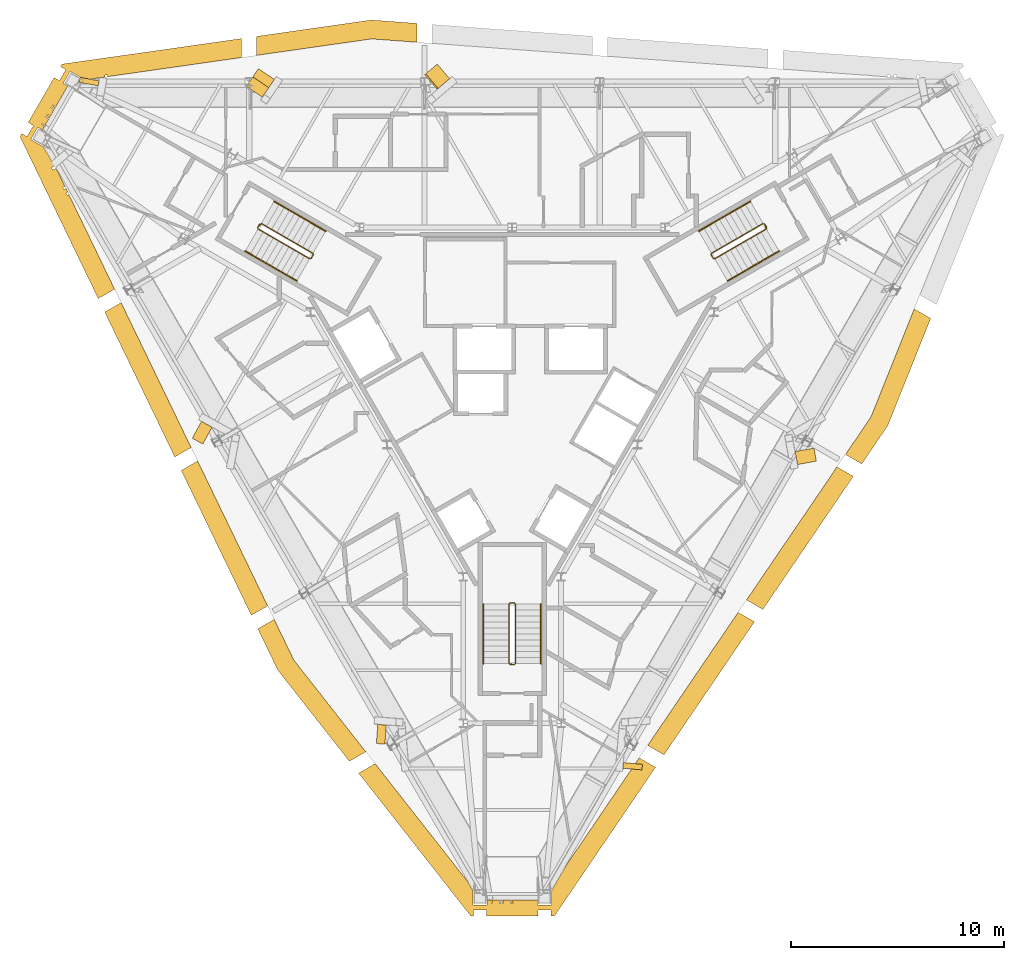
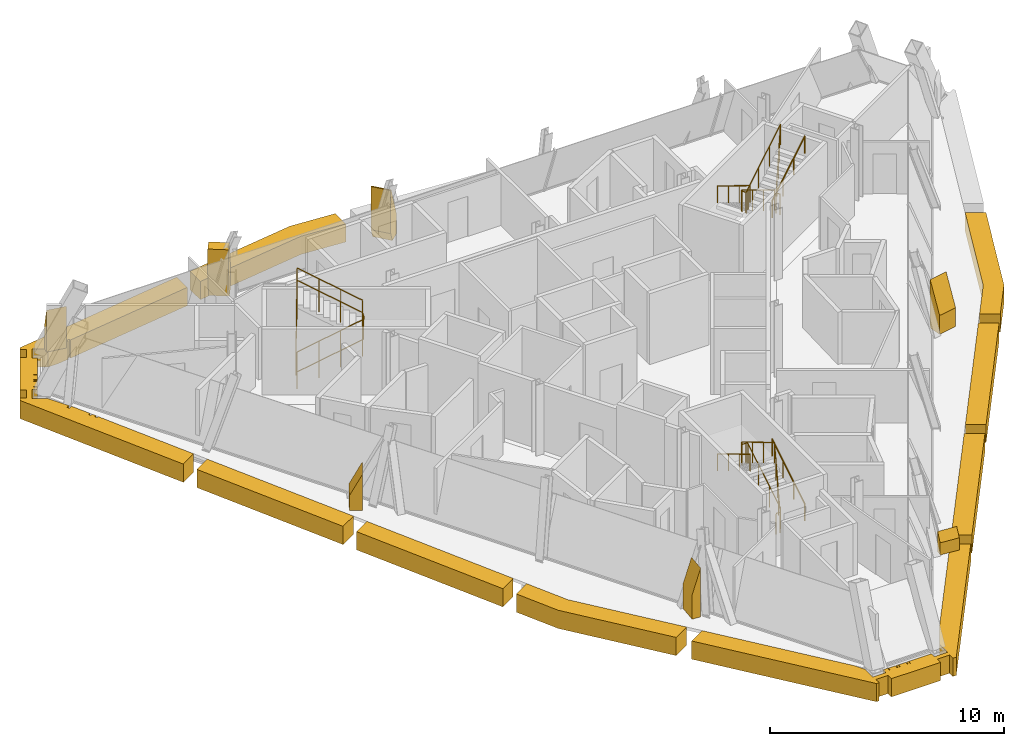
# One storey, part 12 of 13: 16 coverings, 9 railings.
"""IFC4 building model written with IfcOpenShell, lengths in metres."""

from ifc_helpers import new_model, si_unit, direction, frame, origin, origin_2d, place, context, subcontext, project, spatial, polyline, circle, outline, extrude, material, layer, layer_set, type_object, element, save


model = new_model("IFC4")

# Units and contexts
model_context = context("Model", 3, precision=1e-05, world=origin(), true_north=direction((0.0, 1.0)))
body_context = subcontext(model_context, "Body", "Model", "MODEL_VIEW")
ifc_project = project(units=[si_unit("LENGTHUNIT", "METRE"), si_unit("AREAUNIT", "SQUARE_METRE"), si_unit("VOLUMEUNIT", "CUBIC_METRE"), si_unit("PLANEANGLEUNIT", "RADIAN"), si_unit("MASSUNIT", "GRAM", prefix="KILO")], contexts=[model_context])

# Site, building, storey
site_placement = place(None, origin())
site = spatial("IfcSite", under=ifc_project, at=site_placement, CompositionType="ELEMENT")
building_placement = place(site_placement, origin())
building = spatial("IfcBuilding", under=site, at=building_placement, Name="Verrane Prism Tower", CompositionType="ELEMENT")
storey_placement = place(building_placement, frame((0.0, 0.0, 304.699951171875)))
storey = spatial("IfcBuildingStorey", under=building, at=storey_placement, Name="L77", CompositionType="ELEMENT", Elevation=304.699951171875)

# Railings
ifc_material_1 = material(Name="Steel A36 rail and posts, no infill", Category="steel")
railing_type_1 = type_object("IfcRailingType", Name="Stair guard 1100 steel rail and posts", PredefinedType="GUARDRAIL", material=ifc_material_1)
railing_1_placement = place(storey_placement, frame((11.78955078125, 6.97998046875, 0.168212890625)))
element("IfcRailing", 1, at=railing_1_placement, inside=storey, type_object=railing_type_1, Name="Stair 1 guard", PredefinedType="GUARDRAIL", context=body_context, shape_type="SweptSolid", body=[
    extrude(circle(Radius=0.02392578125, at=origin_2d()), frame((0.0, 0.0, 1.076171875), z_axis=(-0.742366697286, -0.42866220388, 0.514917859203), x_axis=(0.500049511043, -0.865996816683, 0.0)), (0.0, 0.0, 1.0), 3.266357421875),
    extrude(circle(Radius=0.02392578125, at=origin_2d()), frame((-2.4248046875, -1.400146484375, 2.7578125), z_axis=(-0.259601060869, -0.965715946433, 0.0), x_axis=(0.965715946433, -0.259601060869, 0.0)), (0.0, 0.0, 1.0), 0.070556640625),
    extrude(circle(Radius=0.02392578125, at=origin_2d()), frame((-2.443115234375, -1.46826171875, 2.7578125), z_axis=(0.499158860599, -0.866510491504, 0.0), x_axis=(0.866510491504, 0.499158860599, 0.0)), (0.0, 0.0, 1.0), 0.199951171875),
    extrude(circle(Radius=0.02392578125, at=origin_2d()), frame((-2.34326171875, -1.6416015625, 2.7578125), z_axis=(0.374585375571, -0.100335368456, 0.921747584887), x_axis=(0.258736085224, 0.965948051503, 0.0)), (0.0, 0.0, 1.0), 0.182373046875),
    extrude(circle(Radius=0.02392578125, at=origin_2d()), frame((-2.27490234375, -1.659912109375, 2.92626953125), z_axis=(0.742395268701, 0.428678701772, 0.514862928999), x_axis=(-0.500049511043, 0.865996816683, 0.0)), (0.0, 0.0, 1.0), 3.26611328125),
    extrude(circle(Radius=0.02392578125, at=origin_2d()), frame((0.14990234375, -0.259765625, 4.60791015625), z_axis=(-0.021986835041, 0.065104730107, -0.997636182785), x_axis=(-0.947430582667, -0.3199613899, 0.0)), (0.0, 0.0, 1.0), 3.708740234375),
    extrude(circle(Radius=0.02392578125, at=origin_2d()), frame((0.068359375, -0.018310546875, 0.90771484375), z_axis=(0.499158860599, -0.866510491504, 0.0), x_axis=(0.866510491504, 0.499158860599, 0.0)), (0.0, 0.0, 1.0), 0.199951171875),
    extrude(circle(Radius=0.02099609375, at=origin_2d()), origin(), (0.0, 0.0, 1.0), 1.052001953125),
    extrude(circle(Radius=0.02099609375, at=origin_2d()), frame((-0.808349609375, -0.466796875, 0.560546875)), (0.0, 0.0, 1.0), 1.052001953125),
    extrude(circle(Radius=0.02099609375, at=origin_2d()), frame((-1.616455078125, -0.933349609375, 1.121337890625)), (0.0, 0.0, 1.0), 1.052001953125),
    extrude(circle(Radius=0.02099609375, at=origin_2d()), frame((-2.4248046875, -1.400146484375, 1.681884765625)), (0.0, 0.0, 1.0), 1.052001953125),
    extrude(circle(Radius=0.02099609375, at=origin_2d()), frame((-2.443115234375, -1.46826171875, 1.681884765625)), (0.0, 0.0, 1.0), 1.052001953125),
    extrude(circle(Radius=0.02099609375, at=origin_2d()), frame((-2.34326171875, -1.6416015625, 1.681884765625)), (0.0, 0.0, 1.0), 1.052001953125),
    extrude(circle(Radius=0.02099609375, at=origin_2d()), frame((-2.27490234375, -1.659912109375, 1.85009765625)), (0.0, 0.0, 1.0), 1.052001953125),
    extrude(circle(Radius=0.02099609375, at=origin_2d()), frame((-1.466552734375, -1.193115234375, 2.41064453125)), (0.0, 0.0, 1.0), 1.052001953125),
    extrude(circle(Radius=0.02099609375, at=origin_2d()), frame((-0.658447265625, -0.7265625, 2.97119140625)), (0.0, 0.0, 1.0), 1.052001953125),
    extrude(circle(Radius=0.02099609375, at=origin_2d()), frame((0.14990234375, -0.259765625, 3.53173828125)), (0.0, 0.0, 1.0), 1.052001953125),
    extrude(circle(Radius=0.02099609375, at=origin_2d()), frame((0.12939453125, -0.199462890625, 2.606689453125)), (0.0, 0.0, 1.0), 1.052001953125),
    extrude(circle(Radius=0.02099609375, at=origin_2d()), frame((0.109130859375, -0.13916015625, 1.681640625)), (0.0, 0.0, 1.0), 1.052001953125),
    extrude(circle(Radius=0.02099609375, at=origin_2d()), frame((0.0888671875, -0.07861328125, 0.7568359375)), (0.0, 0.0, 1.0), 1.052001953125),
    extrude(circle(Radius=0.02099609375, at=origin_2d()), frame((0.068359375, -0.018310546875, -0.168212890625)), (0.0, 0.0, 1.0), 1.052001953125),
    extrude(circle(Radius=0.02099609375, at=origin_2d()), frame((0.168212890625, -0.191650390625, -0.168212890625)), (0.0, 0.0, 1.0), 1.052001953125),
])
railing_2_placement = place(storey_placement, frame((-11.939453125, 6.72021484375, 0.168212890625)))
element("IfcRailing", 2, at=railing_2_placement, inside=storey, type_object=railing_type_1, Name="Stair 2 guard", PredefinedType="GUARDRAIL", context=body_context, shape_type="SweptSolid", body=[
    extrude(circle(Radius=0.02392578125, at=origin_2d()), frame((0.0, 0.0, 1.076171875), z_axis=(0.742366697286, -0.42866220388, 0.514917859203), x_axis=(0.500049511043, 0.865996816683, 0.0)), (0.0, 0.0, 1.0), 3.266357421875),
    extrude(circle(Radius=0.02392578125, at=origin_2d()), frame((2.4248046875, -1.400146484375, 2.7578125), z_axis=(0.965948051503, 0.258736085224, 0.0), x_axis=(-0.258736085224, 0.965948051503, 0.0)), (0.0, 0.0, 1.0), 0.07080078125),
    extrude(circle(Radius=0.02392578125, at=origin_2d()), frame((2.4931640625, -1.3818359375, 2.7578125), z_axis=(0.499158860599, 0.866510491504, 0.0), x_axis=(-0.866510491504, 0.499158860599, 0.0)), (0.0, 0.0, 1.0), 0.199951171875),
    extrude(circle(Radius=0.02392578125, at=origin_2d()), frame((2.593017578125, -1.20849609375, 2.7578125), z_axis=(-0.100385596638, 0.373434419493, 0.922209014446), x_axis=(-0.965715946433, -0.259601060869, 0.0)), (0.0, 0.0, 1.0), 0.182373046875),
    extrude(circle(Radius=0.02392578125, at=origin_2d()), frame((2.57470703125, -1.140380859375, 2.92626953125), z_axis=(-0.742395268701, 0.428678701772, 0.514862928999), x_axis=(-0.500049511043, -0.865996816683, 0.0)), (0.0, 0.0, 1.0), 3.26611328125),
    extrude(circle(Radius=0.02392578125, at=origin_2d()), frame((0.14990234375, 0.259765625, 4.60791015625), z_axis=(-0.04535595117, -0.051675503147, -0.99763343973), x_axis=(0.751567565678, -0.659656118156, 0.0)), (0.0, 0.0, 1.0), 3.708740234375),
    extrude(circle(Radius=0.02392578125, at=origin_2d()), frame((-0.018310546875, 0.068115234375, 0.90771484375), z_axis=(0.499158860599, 0.866510491504, 0.0), x_axis=(-0.866510491504, 0.499158860599, 0.0)), (0.0, 0.0, 1.0), 0.199951171875),
    extrude(circle(Radius=0.02099609375, at=origin_2d()), origin(), (0.0, 0.0, 1.0), 1.052001953125),
    extrude(circle(Radius=0.02099609375, at=origin_2d()), frame((0.808349609375, -0.466796875, 0.560546875)), (0.0, 0.0, 1.0), 1.052001953125),
    extrude(circle(Radius=0.02099609375, at=origin_2d()), frame((1.616455078125, -0.933349609375, 1.121337890625)), (0.0, 0.0, 1.0), 1.052001953125),
    extrude(circle(Radius=0.02099609375, at=origin_2d()), frame((2.4248046875, -1.400146484375, 1.681884765625)), (0.0, 0.0, 1.0), 1.052001953125),
    extrude(circle(Radius=0.02099609375, at=origin_2d()), frame((2.4931640625, -1.3818359375, 1.681884765625)), (0.0, 0.0, 1.0), 1.052001953125),
    extrude(circle(Radius=0.02099609375, at=origin_2d()), frame((2.593017578125, -1.20849609375, 1.681884765625)), (0.0, 0.0, 1.0), 1.052001953125),
    extrude(circle(Radius=0.02099609375, at=origin_2d()), frame((2.57470703125, -1.140380859375, 1.85009765625)), (0.0, 0.0, 1.0), 1.052001953125),
    extrude(circle(Radius=0.02099609375, at=origin_2d()), frame((1.766357421875, -0.673583984375, 2.41064453125)), (0.0, 0.0, 1.0), 1.052001953125),
    extrude(circle(Radius=0.02099609375, at=origin_2d()), frame((0.958251953125, -0.20703125, 2.97119140625)), (0.0, 0.0, 1.0), 1.052001953125),
    extrude(circle(Radius=0.02099609375, at=origin_2d()), frame((0.14990234375, 0.259765625, 3.53173828125)), (0.0, 0.0, 1.0), 1.052001953125),
    extrude(circle(Radius=0.02099609375, at=origin_2d()), frame((0.10791015625, 0.2119140625, 2.606689453125)), (0.0, 0.0, 1.0), 1.052001953125),
    extrude(circle(Radius=0.02099609375, at=origin_2d()), frame((0.06591796875, 0.1640625, 1.681640625)), (0.0, 0.0, 1.0), 1.052001953125),
    extrude(circle(Radius=0.02099609375, at=origin_2d()), frame((0.023681640625, 0.115966796875, 0.7568359375)), (0.0, 0.0, 1.0), 1.052001953125),
    extrude(circle(Radius=0.02099609375, at=origin_2d()), frame((-0.018310546875, 0.068115234375, -0.168212890625)), (0.0, 0.0, 1.0), 1.052001953125),
    extrude(circle(Radius=0.02099609375, at=origin_2d()), frame((0.08154296875, 0.241455078125, -0.168212890625)), (0.0, 0.0, 1.0), 1.052001953125),
])
railing_3_placement = place(storey_placement, frame((0.14990234375, -13.699951171875, 0.168212890625)))
element("IfcRailing", 3, at=railing_3_placement, inside=storey, type_object=railing_type_1, Name="Stair 3 guard", PredefinedType="GUARDRAIL", context=body_context, shape_type="SweptSolid", body=[
    extrude(circle(Radius=0.02392578125, at=origin_2d()), frame((0.0, 0.0, 1.076171875), z_axis=(0.0, 0.857242210791, 0.514913383045), x_axis=(-1.0, 0.0, 0.0)), (0.0, 0.0, 1.0), 3.266357421875),
    extrude(circle(Radius=0.02392578125, at=origin_2d()), frame((0.0, 2.800048828125, 2.7578125), z_axis=(-0.707106781187, 0.707106781187, 0.0), x_axis=(-0.707106781187, -0.707106781187, 0.0)), (0.0, 0.0, 1.0), 0.0703125),
    extrude(circle(Radius=0.02392578125, at=origin_2d()), frame((-0.0498046875, 2.849853515625, 2.7578125), z_axis=(-1.0, 0.0, 0.0), x_axis=(0.0, -1.0, 0.0)), (0.0, 0.0, 1.0), 0.2001953125),
    extrude(circle(Radius=0.02392578125, at=origin_2d()), frame((-0.25, 2.849853515625, 2.7578125), z_axis=(-0.273106073848, -0.273106073848, 0.922402376869), x_axis=(0.707106781187, -0.707106781187, 0.0)), (0.0, 0.0, 1.0), 0.182373046875),
    extrude(circle(Radius=0.02392578125, at=origin_2d()), frame((-0.2998046875, 2.800048828125, 2.92626953125), z_axis=(0.0, -0.857275202839, 0.514858452973), x_axis=(1.0, 0.0, 0.0)), (0.0, 0.0, 1.0), 3.26611328125),
    extrude(circle(Radius=0.02392578125, at=origin_2d()), frame((-0.2998046875, 0.0, 4.60791015625), z_axis=(0.067408604812, -0.013494886706, -0.997634185476), x_axis=(0.196300278283, 0.98054382908, 0.0)), (0.0, 0.0, 1.0), 3.708740234375),
    extrude(circle(Radius=0.02392578125, at=origin_2d()), frame((-0.0498046875, -0.050048828125, 0.90771484375), z_axis=(-1.0, 0.0, 0.0), x_axis=(0.0, -1.0, 0.0)), (0.0, 0.0, 1.0), 0.2001953125),
    extrude(circle(Radius=0.02099609375, at=origin_2d()), origin(), (0.0, 0.0, 1.0), 1.052001953125),
    extrude(circle(Radius=0.02099609375, at=origin_2d()), frame((0.0, 0.933349609375, 0.560546875)), (0.0, 0.0, 1.0), 1.052001953125),
    extrude(circle(Radius=0.02099609375, at=origin_2d()), frame((0.0, 1.86669921875, 1.121337890625)), (0.0, 0.0, 1.0), 1.052001953125),
    extrude(circle(Radius=0.02099609375, at=origin_2d()), frame((0.0, 2.800048828125, 1.681884765625)), (0.0, 0.0, 1.0), 1.052001953125),
    extrude(circle(Radius=0.02099609375, at=origin_2d()), frame((-0.0498046875, 2.849853515625, 1.681884765625)), (0.0, 0.0, 1.0), 1.052001953125),
    extrude(circle(Radius=0.02099609375, at=origin_2d()), frame((-0.25, 2.849853515625, 1.681884765625)), (0.0, 0.0, 1.0), 1.052001953125),
    extrude(circle(Radius=0.02099609375, at=origin_2d()), frame((-0.2998046875, 2.800048828125, 1.85009765625)), (0.0, 0.0, 1.0), 1.052001953125),
    extrude(circle(Radius=0.02099609375, at=origin_2d()), frame((-0.2998046875, 1.86669921875, 2.41064453125)), (0.0, 0.0, 1.0), 1.052001953125),
    extrude(circle(Radius=0.02099609375, at=origin_2d()), frame((-0.2998046875, 0.933349609375, 2.97119140625)), (0.0, 0.0, 1.0), 1.052001953125),
    extrude(circle(Radius=0.02099609375, at=origin_2d()), frame((-0.2998046875, 0.0, 3.53173828125)), (0.0, 0.0, 1.0), 1.052001953125),
    extrude(circle(Radius=0.02099609375, at=origin_2d()), frame((-0.2373046875, -0.012451171875, 2.606689453125)), (0.0, 0.0, 1.0), 1.052001953125),
    extrude(circle(Radius=0.02099609375, at=origin_2d()), frame((-0.1748046875, -0.02490234375, 1.681640625)), (0.0, 0.0, 1.0), 1.052001953125),
    extrude(circle(Radius=0.02099609375, at=origin_2d()), frame((-0.1123046875, -0.03759765625, 0.7568359375)), (0.0, 0.0, 1.0), 1.052001953125),
    extrude(circle(Radius=0.02099609375, at=origin_2d()), frame((-0.0498046875, -0.050048828125, -0.168212890625)), (0.0, 0.0, 1.0), 1.052001953125),
    extrude(circle(Radius=0.02099609375, at=origin_2d()), frame((-0.25, -0.050048828125, -0.168212890625)), (0.0, 0.0, 1.0), 1.052001953125),
])
ifc_material_2 = material(Name="Steel A36 tube", Category="steel")
railing_type_2 = type_object("IfcRailingType", Name="Stair handrail 900 steel tube", PredefinedType="HANDRAIL", material=ifc_material_2)
railing_4_placement = place(storey_placement, frame((11.189453125, 8.01904296875, 0.168212890625)))
element("IfcRailing", 4, at=railing_4_placement, inside=storey, type_object=railing_type_2, Name="Stair 1 handrail", PredefinedType="HANDRAIL", context=body_context, shape_type="SweptSolid", body=[
    extrude(circle(Radius=0.02392578125, at=origin_2d()), frame((0.0, 0.0, 0.8759765625), z_axis=(-0.742390482028, -0.42860119049, 0.514934356695), x_axis=(0.49998411664, -0.866034573852, 0.0)), (0.0, 0.0, 1.0), 3.26611328125),
    extrude(circle(Radius=0.02099609375, at=origin_2d()), origin(), (0.0, 0.0, 1.0), 0.851806640625),
    extrude(circle(Radius=0.02099609375, at=origin_2d()), frame((-0.808349609375, -0.466552734375, 0.560546875)), (0.0, 0.0, 1.0), 0.851806640625),
    extrude(circle(Radius=0.02099609375, at=origin_2d()), frame((-1.616455078125, -0.933349609375, 1.121337890625)), (0.0, 0.0, 1.0), 0.851806640625),
    extrude(circle(Radius=0.02099609375, at=origin_2d()), frame((-2.4248046875, -1.39990234375, 1.681884765625)), (0.0, 0.0, 1.0), 0.851806640625),
])
railing_5_placement = place(storey_placement, frame((10.11474609375, 4.28076171875, 2.018310546875)))
element("IfcRailing", 5, at=railing_5_placement, inside=storey, type_object=railing_type_2, Name="Stair 1 handrail", PredefinedType="HANDRAIL", context=body_context, shape_type="SweptSolid", body=[
    extrude(circle(Radius=0.02392578125, at=origin_2d()), frame((0.0, 0.0, 0.8759765625), z_axis=(0.742395268701, 0.428678701772, 0.514862928999), x_axis=(-0.500049511043, 0.865996816683, 0.0)), (0.0, 0.0, 1.0), 3.26611328125),
    extrude(circle(Radius=0.02099609375, at=origin_2d()), origin(), (0.0, 0.0, 1.0), 0.851806640625),
    extrude(circle(Radius=0.02099609375, at=origin_2d()), frame((0.808349609375, 0.466796875, 0.560546875)), (0.0, 0.0, 1.0), 0.851806640625),
    extrude(circle(Radius=0.02099609375, at=origin_2d()), frame((1.616455078125, 0.933349609375, 1.12109375)), (0.0, 0.0, 1.0), 0.851806640625),
    extrude(circle(Radius=0.02099609375, at=origin_2d()), frame((2.4248046875, 1.400146484375, 1.681640625)), (0.0, 0.0, 1.0), 0.851806640625),
])
railing_6_placement = place(storey_placement, frame((-12.53955078125, 5.680908203125, 0.168212890625)))
element("IfcRailing", 6, at=railing_6_placement, inside=storey, type_object=railing_type_2, Name="Stair 2 handrail", PredefinedType="HANDRAIL", context=body_context, shape_type="SweptSolid", body=[
    extrude(circle(Radius=0.02392578125, at=origin_2d()), frame((0.0, 0.0, 0.8759765625), z_axis=(0.742366697286, -0.42866220388, 0.514917859203), x_axis=(0.500049511043, 0.865996816683, 0.0)), (0.0, 0.0, 1.0), 3.266357421875),
    extrude(circle(Radius=0.02099609375, at=origin_2d()), origin(), (0.0, 0.0, 1.0), 0.851806640625),
    extrude(circle(Radius=0.02099609375, at=origin_2d()), frame((0.808349609375, -0.466796875, 0.560546875)), (0.0, 0.0, 1.0), 0.851806640625),
    extrude(circle(Radius=0.02099609375, at=origin_2d()), frame((1.616455078125, -0.933349609375, 1.121337890625)), (0.0, 0.0, 1.0), 0.851806640625),
    extrude(circle(Radius=0.02099609375, at=origin_2d()), frame((2.4248046875, -1.400146484375, 1.681884765625)), (0.0, 0.0, 1.0), 0.851806640625),
])
railing_7_placement = place(storey_placement, frame((-8.7646484375, 6.619140625, 2.018310546875)))
element("IfcRailing", 7, at=railing_7_placement, inside=storey, type_object=railing_type_2, Name="Stair 2 handrail", PredefinedType="HANDRAIL", context=body_context, shape_type="SweptSolid", body=[
    extrude(circle(Radius=0.02392578125, at=origin_2d()), frame((0.0, 0.0, 0.8759765625), z_axis=(-0.74241905619, 0.428617687091, 0.514879426), x_axis=(-0.49998411664, -0.866034573852, 0.0)), (0.0, 0.0, 1.0), 3.26611328125),
    extrude(circle(Radius=0.02099609375, at=origin_2d()), origin(), (0.0, 0.0, 1.0), 0.851806640625),
    extrude(circle(Radius=0.02099609375, at=origin_2d()), frame((-0.808349609375, 0.466552734375, 0.560546875)), (0.0, 0.0, 1.0), 0.851806640625),
    extrude(circle(Radius=0.02099609375, at=origin_2d()), frame((-1.616455078125, 0.933349609375, 1.12109375)), (0.0, 0.0, 1.0), 0.851806640625),
    extrude(circle(Radius=0.02099609375, at=origin_2d()), frame((-2.4248046875, 1.39990234375, 1.681640625)), (0.0, 0.0, 1.0), 0.851806640625),
])
railing_8_placement = place(storey_placement, frame((1.35009765625, -13.699951171875, 0.168212890625)))
element("IfcRailing", 8, at=railing_8_placement, inside=storey, type_object=railing_type_2, Name="Stair 3 handrail", PredefinedType="HANDRAIL", context=body_context, shape_type="SweptSolid", body=[
    extrude(circle(Radius=0.02392578125, at=origin_2d()), frame((0.0, 0.0, 0.8759765625), z_axis=(0.0, 0.857242210791, 0.514913383045), x_axis=(-1.0, 0.0, 0.0)), (0.0, 0.0, 1.0), 3.266357421875),
    extrude(circle(Radius=0.02099609375, at=origin_2d()), origin(), (0.0, 0.0, 1.0), 0.851806640625),
    extrude(circle(Radius=0.02099609375, at=origin_2d()), frame((0.0, 0.933349609375, 0.560546875)), (0.0, 0.0, 1.0), 0.851806640625),
    extrude(circle(Radius=0.02099609375, at=origin_2d()), frame((0.0, 1.86669921875, 1.121337890625)), (0.0, 0.0, 1.0), 0.851806640625),
    extrude(circle(Radius=0.02099609375, at=origin_2d()), frame((0.0, 2.800048828125, 1.681884765625)), (0.0, 0.0, 1.0), 0.851806640625),
])
railing_9_placement = place(storey_placement, frame((-1.35009765625, -10.89990234375, 2.018310546875)))
element("IfcRailing", 9, at=railing_9_placement, inside=storey, type_object=railing_type_2, Name="Stair 3 handrail", PredefinedType="HANDRAIL", context=body_context, shape_type="SweptSolid", body=[
    extrude(circle(Radius=0.02392578125, at=origin_2d()), frame((0.0, 0.0, 0.8759765625), z_axis=(0.0, -0.857275202839, 0.514858452973), x_axis=(1.0, 0.0, 0.0)), (0.0, 0.0, 1.0), 3.26611328125),
    extrude(circle(Radius=0.02099609375, at=origin_2d()), origin(), (0.0, 0.0, 1.0), 0.851806640625),
    extrude(circle(Radius=0.02099609375, at=origin_2d()), frame((0.0, -0.933349609375, 0.560546875)), (0.0, 0.0, 1.0), 0.851806640625),
    extrude(circle(Radius=0.02099609375, at=origin_2d()), frame((0.0, -1.86669921875, 1.12109375)), (0.0, 0.0, 1.0), 0.851806640625),
    extrude(circle(Radius=0.02099609375, at=origin_2d()), frame((0.0, -2.800048828125, 1.681640625)), (0.0, 0.0, 1.0), 0.851806640625),
])

# Coverings
ifc_material_3 = material(Name="Warm limestone cladding", Category="masonry")
ifc_layer_1 = layer(ifc_material_3, 0.89990234375)
ifc_layer_set_1 = layer_set([ifc_layer_1], Name="Stone brace fin 900")
covering_type_1 = type_object("IfcCoveringType", Name="Stone brace fin 900", PredefinedType="CLADDING", material=ifc_layer_set_1)
covering_1_placement = place(storey_placement, frame((-3.23193359375, 14.126708984375, 0.0), z_axis=(0.0, 0.0, 1.0), x_axis=(-0.75952505293, -0.650478050339, 0.0)))
element("IfcCovering", 10, at=covering_1_placement, inside=storey, type_object=covering_type_1, Name="Stone brace fin N3 L77", PredefinedType="CLADDING", context=body_context, shape_type="SweptSolid", body=[
    extrude(outline(polyline([(0.770263671875, 2.75), (0.70751953125, 2.75), (0.0, 0.98974609375), (0.0, 0.0), (0.572021484375, 0.0), (0.770263671875, 0.492919921875), (0.770263671875, 2.75)])), frame((0.0, 0.449951171875, 0.0), z_axis=(0.0, -1.0, 0.0), x_axis=(1.0, 0.0, 0.0)), (0.0, 0.0, 1.0), 0.89990234375),
])
covering_2_placement = place(storey_placement, frame((-11.551513671875, 14.001220703125, 0.0), z_axis=(0.0, 0.0, 1.0), x_axis=(-0.559277234536, -0.828980684292, 0.0)))
element("IfcCovering", 11, at=covering_2_placement, inside=storey, type_object=covering_type_1, Name="Stone brace fin N4 L77", PredefinedType="CLADDING", context=body_context, shape_type="SweptSolid", body=[
    extrude(outline(polyline([(1.00732421875, 2.75), (0.466064453125, 2.75), (0.0, 1.276123046875), (0.0, 0.0), (0.54052734375, 0.0), (1.00732421875, 1.476806640625), (1.00732421875, 2.75)])), frame((0.0, 0.449951171875, 0.0), z_axis=(0.0, -1.0, 0.0), x_axis=(1.0, 0.0, 0.0)), (0.0, 0.0, 1.0), 0.89990234375),
])
covering_3_placement = place(storey_placement, frame((-19.856201171875, 13.763916015625, 0.0), z_axis=(0.0, 0.0, 1.0), x_axis=(-0.181472063865, -0.983396100275, 0.0)))
element("IfcCovering", 12, at=covering_3_placement, inside=storey, type_object=covering_type_1, Name="Stone brace fin N5 L77", PredefinedType="CLADDING", context=body_context, shape_type="SweptSolid", body=[
    extrude(outline(polyline([(0.0, 0.0), (0.240478515625, 0.0), (0.240478515625, 2.18505859375), (0.0, 1.283447265625), (0.0, 0.0)])), frame((0.0, 0.449951171875, 0.0), z_axis=(0.0, -1.0, 0.0), x_axis=(1.0, 0.0, 0.0)), (0.0, 0.0, 1.0), 0.89990234375),
])
covering_4_placement = place(storey_placement, frame((-14.815185546875, -2.71435546875, 0.0), z_axis=(0.0, 0.0, 1.0), x_axis=(0.875370766733, -0.483452190758, 0.0)))
element("IfcCovering", 13, at=covering_4_placement, inside=storey, type_object=covering_type_1, Name="Stone brace fin SW2 L77", PredefinedType="CLADDING", context=body_context, shape_type="SweptSolid", body=[
    extrude(outline(polyline([(0.0, 0.0), (0.568115234375, 0.0), (0.568115234375, 1.900146484375), (0.0, 0.77880859375), (0.0, 0.0)])), frame((0.0, 0.449951171875, 0.0), z_axis=(0.0, -1.0, 0.0), x_axis=(1.0, 0.0, 0.0)), (0.0, 0.0, 1.0), 0.89990234375),
])
covering_5_placement = place(storey_placement, frame((-6.350341796875, -17.0048828125, 0.0), z_axis=(0.0, 0.0, 1.0), x_axis=(0.997280923763, -0.073693684251, 0.0)))
element("IfcCovering", 14, at=covering_5_placement, inside=storey, type_object=covering_type_1, Name="Stone brace fin SW4 L77", PredefinedType="CLADDING", context=body_context, shape_type="SweptSolid", body=[
    extrude(outline(polyline([(0.0, 0.0), (0.404296875, 0.0), (0.404296875, 2.54638671875), (0.0, 1.271728515625), (0.0, 0.0)])), frame((0.0, 0.449951171875, 0.0), z_axis=(0.0, -1.0, 0.0), x_axis=(1.0, 0.0, 0.0)), (0.0, 0.0, 1.0), 0.89990234375),
])
covering_6_placement = place(storey_placement, frame((5.649658203125, -18.6533203125, 0.0), z_axis=(0.0, 0.0, 1.0), x_axis=(0.089290706017, 0.996005607323, 0.0)))
element("IfcCovering", 15, at=covering_6_placement, inside=storey, type_object=covering_type_1, Name="Stone brace fin SE1 L77", PredefinedType="CLADDING", context=body_context, shape_type="SweptSolid", body=[
    extrude(outline(polyline([(0.0, 0.0), (0.26513671875, 0.0), (0.26513671875, 1.063720703125), (0.0, 0.636474609375), (0.0, 0.0)])), frame((0.0, 0.449951171875, 0.0), z_axis=(0.0, -1.0, 0.0), x_axis=(1.0, 0.0, 0.0)), (0.0, 0.0, 1.0), 0.89990234375),
])
covering_7_placement = place(storey_placement, frame((13.849365234375, -4.266845703125, 0.0), z_axis=(0.0, 0.0, 1.0), x_axis=(-0.182327436023, 0.983237868511, 0.0)))
element("IfcCovering", 16, at=covering_7_placement, inside=storey, type_object=covering_type_1, Name="Stone brace fin SE3 L77", PredefinedType="CLADDING", context=body_context, shape_type="SweptSolid", body=[
    extrude(outline(polyline([(0.0, 0.0), (0.572998046875, 0.0), (0.6240234375, 0.126220703125), (0.6240234375, 2.527587890625), (0.0, 0.984130859375), (0.0, 0.0)])), frame((0.0, 0.449951171875, 0.0), z_axis=(0.0, -1.0, 0.0), x_axis=(1.0, 0.0, 0.0)), (0.0, 0.0, 1.0), 0.89990234375),
])
ifc_material_4 = material(Name="Warm limestone cladding", Category="masonry")
ifc_layer_2 = layer(ifc_material_4, 0.449951171875)
ifc_layer_set_2 = layer_set([ifc_layer_2], Name="Stone spandrel band 450")
covering_type_2 = type_object("IfcCoveringType", Name="Stone spandrel band 450", PredefinedType="CLADDING", material=ifc_layer_set_2)
covering_8_placement = place(storey_placement, frame((0.0, 0.0, -0.949951171875)))
element("IfcCovering", 17, at=covering_8_placement, inside=storey, type_object=covering_type_2, Name="Stone spandrel band L77 part 1", PredefinedType="CLADDING", context=body_context, shape_type="SweptSolid", body=[
    extrude(outline(polyline([(1.9873046875, -25.5537109375), (6.73583984375, -18.568359375), (5.967529296875, -18.124755859375), (3.78955078125, -21.328857421875), (3.793212890625, -21.330810546875), (3.73193359375, -21.43701171875), (3.720458984375, -21.430419921875), (2.541259765625, -23.165283203125), (1.85009765625, -24.3623046875), (1.85009765625, -25.050048828125), (1.18994140625, -25.050048828125), (1.18994140625, -24.802490234375), (0.070068359375, -24.802490234375), (0.070068359375, -24.969970703125), (0.04052734375, -24.969970703125), (0.04052734375, -24.802490234375), (-0.04052734375, -24.802490234375), (-0.04052734375, -24.969970703125), (-0.08740234375, -24.969970703125), (-0.08740234375, -24.802490234375), (-0.4365234375, -24.802490234375), (-0.4365234375, -24.969970703125), (-0.466064453125, -24.969970703125), (-0.466064453125, -24.802490234375), (-0.547119140625, -24.802490234375), (-0.547119140625, -24.969970703125), (-0.593994140625, -24.969970703125), (-0.593994140625, -24.802490234375), (-0.943359375, -24.802490234375), (-0.943359375, -24.969970703125), (-0.972900390625, -24.969970703125), (-0.972900390625, -24.802490234375), (-1.18994140625, -24.802490234375), (-1.18994140625, -25.050048828125), (-1.85009765625, -25.050048828125), (-1.85009765625, -24.3623046875), (-2.1015625, -23.9267578125), (-6.4404296875, -18.397705078125), (-7.214599609375, -18.8447265625), (-1.949462890625, -25.5537109375), (-1.819091796875, -25.5537109375), (-1.819091796875, -25.26904296875), (-1.218994140625, -25.26904296875), (-1.218994140625, -25.5537109375), (1.218994140625, -25.5537109375), (1.218994140625, -25.26904296875), (1.819091796875, -25.26904296875), (1.819091796875, -25.5537109375), (1.9873046875, -25.5537109375)])), origin(), (0.0, 0.0, 1.0), 0.949951171875),
])
covering_9_placement = place(storey_placement, frame((0.0, 0.0, -0.949951171875)))
element("IfcCovering", 18, at=covering_9_placement, inside=storey, type_object=covering_type_2, Name="Stone spandrel band L77 part 3", PredefinedType="CLADDING", context=body_context, shape_type="SweptSolid", body=[
    extrude(outline(polyline([(-18.68017578125, 3.894287109375), (-20.365478515625, 7.381591796875), (-20.366455078125, 7.381103515625), (-20.42529296875, 7.48291015625), (-20.4169921875, 7.48779296875), (-20.830078125, 8.342529296875), (-20.898681640625, 8.302978515625), (-20.959716796875, 8.4091796875), (-20.88330078125, 8.453125), (-20.965087890625, 8.6220703125), (-21.05322265625, 8.571044921875), (-21.112060546875, 8.6728515625), (-21.016357421875, 8.72802734375), (-21.332275390625, 9.3818359375), (-21.443603515625, 9.57470703125), (-21.585205078125, 9.4931640625), (-21.646484375, 9.59912109375), (-21.5048828125, 9.680908203125), (-22.027099609375, 10.585205078125), (-22.614013671875, 10.92431640625), (-22.2841796875, 11.495849609375), (-22.07275390625, 11.373779296875), (-21.96435546875, 11.5615234375), (-22.106201171875, 11.6435546875), (-22.09130859375, 11.669189453125), (-21.949462890625, 11.587158203125), (-21.775146484375, 11.88916015625), (-21.916748046875, 11.97119140625), (-21.893310546875, 12.01171875), (-21.751708984375, 11.9296875), (-21.711181640625, 12.0), (-21.852783203125, 12.081787109375), (-21.838134765625, 12.107421875), (-21.6962890625, 12.025390625), (-21.52197265625, 12.32763671875), (-21.66357421875, 12.409423828125), (-21.639892578125, 12.449951171875), (-21.49853515625, 12.3681640625), (-21.4580078125, 12.4384765625), (-21.599365234375, 12.520263671875), (-21.584716796875, 12.5458984375), (-21.443115234375, 12.464111328125), (-20.8837890625, 13.432861328125), (-21.093994140625, 13.55419921875), (-20.76416015625, 14.125732421875), (-20.1708984375, 13.783447265625), (-19.67041015625, 13.783447265625), (-19.13330078125, 13.860107421875), (-19.13330078125, 13.949951171875), (-19.010986328125, 13.949951171875), (-19.010986328125, 13.87744140625), (-12.712646484375, 14.776611328125), (-12.712646484375, 15.67041015625), (-21.155517578125, 14.465087890625), (-21.220703125, 14.352294921875), (-20.97412109375, 14.209716796875), (-21.274169921875, 13.690185546875), (-21.520751953125, 13.83251953125), (-22.73974609375, 11.72119140625), (-22.4931640625, 11.578857421875), (-22.793212890625, 11.05908203125), (-23.039794921875, 11.20166015625), (-23.1240234375, 11.0556640625), (-19.448486328125, 3.45068359375), (-18.68017578125, 3.894287109375)])), origin(), (0.0, 0.0, 1.0), 0.949951171875),
])
covering_10_placement = place(storey_placement, frame((0.0, 0.0, -0.949951171875)))
element("IfcCovering", 19, at=covering_10_placement, inside=storey, type_object=covering_type_2, Name="Stone spandrel band L77 part 4", PredefinedType="CLADDING", context=body_context, shape_type="SweptSolid", body=[
    extrude(outline(polyline([(-15.8525390625, -3.989990234375), (-15.084228515625, -3.54638671875), (-18.374755859375, 3.262451171875), (-19.14306640625, 2.81884765625), (-15.8525390625, -3.989990234375)])), origin(), (0.0, 0.0, 1.0), 0.949951171875),
])
covering_11_placement = place(storey_placement, frame((0.0, 0.0, -0.949951171875)))
element("IfcCovering", 20, at=covering_11_placement, inside=storey, type_object=covering_type_2, Name="Stone spandrel band L77 part 5", PredefinedType="CLADDING", context=body_context, shape_type="SweptSolid", body=[
    extrude(outline(polyline([(-11.488037109375, -10.98681640625), (-14.77880859375, -4.17822265625), (-15.547119140625, -4.621826171875), (-12.256591796875, -11.430419921875), (-11.488037109375, -10.98681640625)])), origin(), (0.0, 0.0, 1.0), 0.949951171875),
])
covering_12_placement = place(storey_placement, frame((0.0, 0.0, -0.949951171875)))
element("IfcCovering", 21, at=covering_12_placement, inside=storey, type_object=covering_type_2, Name="Stone spandrel band L77 part 6", PredefinedType="CLADDING", context=body_context, shape_type="SweptSolid", body=[
    extrude(outline(polyline([(-6.876953125, -17.841552734375), (-10.256591796875, -13.53515625), (-11.1826171875, -11.618896484375), (-11.950927734375, -12.0625), (-11.01171875, -14.006103515625), (-7.651123046875, -18.288330078125), (-6.876953125, -17.841552734375)])), origin(), (0.0, 0.0, 1.0), 0.949951171875),
])
covering_13_placement = place(storey_placement, frame((0.0, 0.0, -0.949951171875)))
element("IfcCovering", 22, at=covering_13_placement, inside=storey, type_object=covering_type_2, Name="Stone spandrel band L77 part 7", PredefinedType="CLADDING", context=body_context, shape_type="SweptSolid", body=[
    extrude(outline(polyline([(10.61328125, -11.2900390625), (6.362060546875, -17.544189453125), (7.13037109375, -17.98779296875), (11.381591796875, -11.733642578125), (10.61328125, -11.2900390625)])), origin(), (0.0, 0.0, 1.0), 0.949951171875),
])
covering_14_placement = place(storey_placement, frame((0.0, 0.0, -0.949951171875)))
element("IfcCovering", 23, at=covering_14_placement, inside=storey, type_object=covering_type_2, Name="Stone spandrel band L77 part 8", PredefinedType="CLADDING", context=body_context, shape_type="SweptSolid", body=[
    extrude(outline(polyline([(16.02734375, -4.899169921875), (15.259033203125, -4.45556640625), (11.0078125, -10.709716796875), (11.776123046875, -11.1533203125), (16.02734375, -4.899169921875)])), origin(), (0.0, 0.0, 1.0), 0.949951171875),
])
covering_15_placement = place(storey_placement, frame((0.0, 0.0, -0.949951171875)))
element("IfcCovering", 24, at=covering_15_placement, inside=storey, type_object=covering_type_2, Name="Stone spandrel band L77 part 9", PredefinedType="CLADDING", context=body_context, shape_type="SweptSolid", body=[
    extrude(outline(polyline([(19.663818359375, 2.518310546875), (18.8896484375, 2.965087890625), (16.85009765625, -2.114990234375), (15.653564453125, -3.875), (16.421875, -4.318603515625), (17.635498046875, -2.533203125), (19.663818359375, 2.518310546875)])), origin(), (0.0, 0.0, 1.0), 0.949951171875),
])
covering_16_placement = place(storey_placement, frame((0.0, 0.0, -0.949951171875)))
element("IfcCovering", 25, at=covering_16_placement, inside=storey, type_object=covering_type_2, Name="Stone spandrel band L77 part 12", PredefinedType="CLADDING", context=body_context, shape_type="SweptSolid", body=[
    extrude(outline(polyline([(-12.0126953125, 14.87646484375), (-6.593505859375, 15.64990234375), (-4.470947265625, 15.493896484375), (-4.470947265625, 16.381103515625), (-6.623779296875, 16.539306640625), (-12.0126953125, 15.770263671875), (-12.0126953125, 14.87646484375)])), origin(), (0.0, 0.0, 1.0), 0.949951171875),
])

save(model, "model.ifc")
